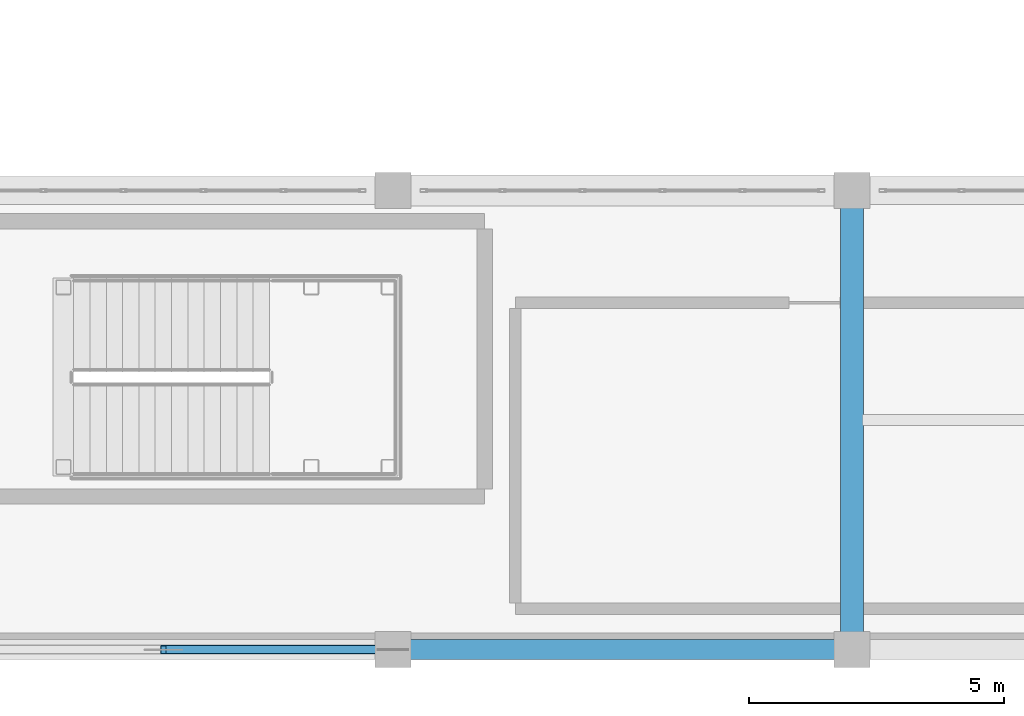
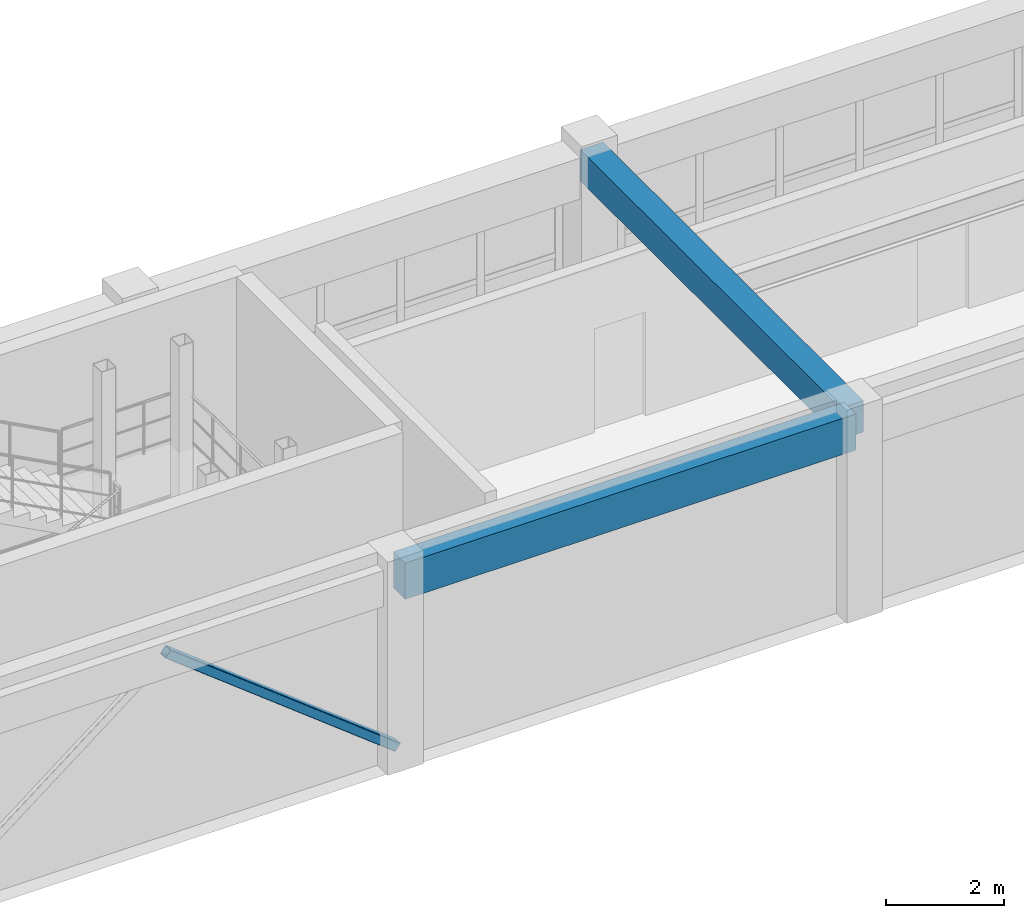
# One storey, part 27 of 133: 2 beams, 1 member.
"""IFC4 building model written with IfcOpenShell, lengths in metres."""

from ifc_helpers import new_model, si_unit, direction, frame, origin, origin_2d, place, context, subcontext, project, spatial, rectangle, hollow_rectangle, extrude, material, material_profile, profile_set, type_object, element, save


model = new_model("IFC4")

# Units and contexts
model_context = context("Model", 3, precision=1e-05, world=origin(), true_north=direction((0.0, 1.0)))
body_context = subcontext(model_context, "Body", "Model", "MODEL_VIEW")
ifc_project = project(units=[si_unit("LENGTHUNIT", "METRE"), si_unit("AREAUNIT", "SQUARE_METRE"), si_unit("VOLUMEUNIT", "CUBIC_METRE"), si_unit("PLANEANGLEUNIT", "RADIAN"), si_unit("MASSUNIT", "GRAM", prefix="KILO")], contexts=[model_context])

# Site, building, storey
site_placement = place(None, origin())
site = spatial("IfcSite", under=ifc_project, at=site_placement, CompositionType="ELEMENT")
building_placement = place(site_placement, origin())
building = spatial("IfcBuilding", under=site, at=building_placement, Name="Miravela Opera House", CompositionType="ELEMENT")
storey_placement = place(building_placement, frame((0.0, 0.0, 5.10009765625)))
storey = spatial("IfcBuildingStorey", under=building, at=storey_placement, Name="L01", CompositionType="ELEMENT", Elevation=5.10009765625)

# Beam
ifc_material_1 = material(Name="Concrete C35/45", Category="concrete")
ifc_material_profile_1 = material_profile(ifc_material_1, rectangle(XDim=0.449951171875, YDim=0.64990234375, at=origin_2d()), Name="RC-BM-450X650")
ifc_profile_set_1 = profile_set([ifc_material_profile_1])
beam_type_1 = type_object("IfcBeamType", Name="STR-BM-RC450X650", PredefinedType="BEAM", material=ifc_profile_set_1)
beam_1_placement = place(storey_placement, frame((45.0, 0.080078125, 3.8349609375), z_axis=(0.0, 1.0, 0.0), x_axis=(-1.0, 0.0, 0.0)))
element("IfcBeam", 1, at=beam_1_placement, inside=storey, type_object=beam_type_1, Name="Floor Girder L01 6/A-B", PredefinedType="BEAM", context=body_context, shape_type="SweptSolid", body=[
    extrude(rectangle(XDim=0.449951171875, YDim=0.64990234375, at=origin_2d()), origin(), (0.0, 0.0, 1.0), 8.83984375),
])

# Member
ifc_material_2 = material(Name="Hollow structural steel ASTM A500 Gr. C", Category="steel")
ifc_material_profile_2 = material_profile(ifc_material_2, hollow_rectangle(XDim=0.179931640625, YDim=0.179931640625, WallThickness=0.010009765625, InnerFilletRadius=0.010009765625, OuterFilletRadius=0.02001953125, at=origin_2d()), Name="HSS180X180X10")
ifc_profile_set_2 = profile_set([ifc_material_profile_2])
member_type = type_object("IfcMemberType", Name="STR-MEM-BRACE-HSS180", PredefinedType="BRACE", material=ifc_profile_set_2)
member_placement = place(storey_placement, frame((36.0, 0.0, 0.2998046875), z_axis=(-0.788501476184, 0.0, 0.615032862581), x_axis=(0.0, -1.0, 0.0)))
element("IfcMember", 2, at=member_placement, inside=storey, type_object=member_type, Name="Concentric Braced Frame BF-S1 L01 Right Brace", PredefinedType="BRACE", context=body_context, shape_type="SweptSolid", body=[
    extrude(hollow_rectangle(XDim=0.179931640625, YDim=0.179931640625, WallThickness=0.010009765625, InnerFilletRadius=0.010009765625, OuterFilletRadius=0.02001953125, at=origin_2d()), origin(), (0.0, 0.0, 1.0), 5.70703125),
])

# Beam
ifc_material_profile_3 = material_profile(ifc_material_1, rectangle(XDim=0.39990234375, YDim=0.75, at=origin_2d()), Name="RC-SPN-400X750")
ifc_profile_set_3 = profile_set([ifc_material_profile_3])
beam_type_2 = type_object("IfcBeamType", Name="STR-SPN-RC400X750", PredefinedType="SPANDREL", material=ifc_profile_set_3)
beam_2_placement = place(storey_placement, frame((36.080078125, 0.0, 3.784912109375), z_axis=(1.0, 0.0, 0.0), x_axis=(0.0, 1.0, 0.0)))
element("IfcBeam", 3, at=beam_2_placement, inside=storey, type_object=beam_type_2, Name="Floor Girder L01 5-6/A", PredefinedType="SPANDREL", context=body_context, shape_type="SweptSolid", body=[
    extrude(rectangle(XDim=0.39990234375, YDim=0.75, at=origin_2d()), origin(), (0.0, 0.0, 1.0), 8.83984375),
])

save(model, "model.ifc")
